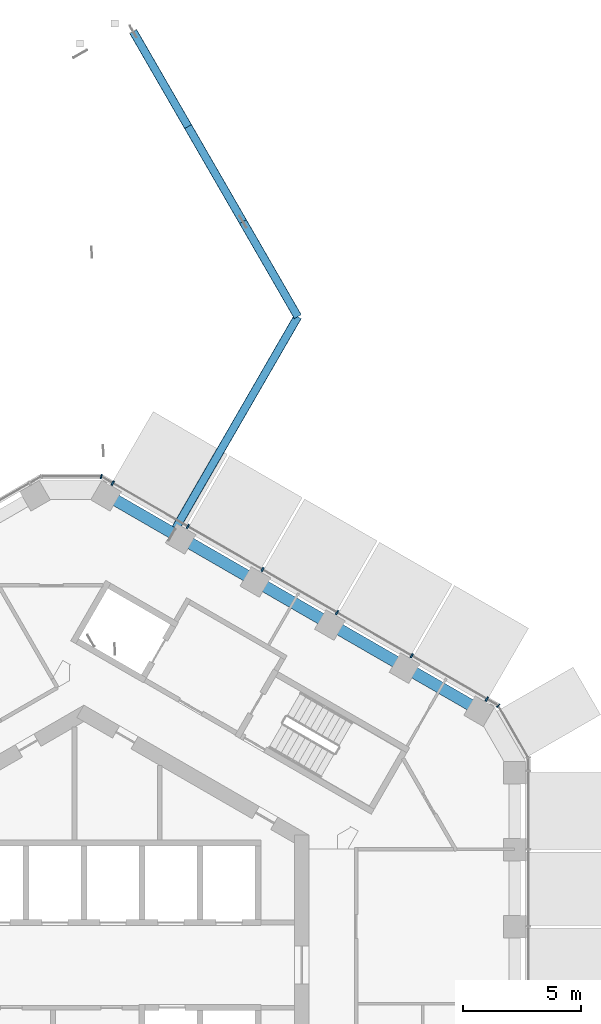
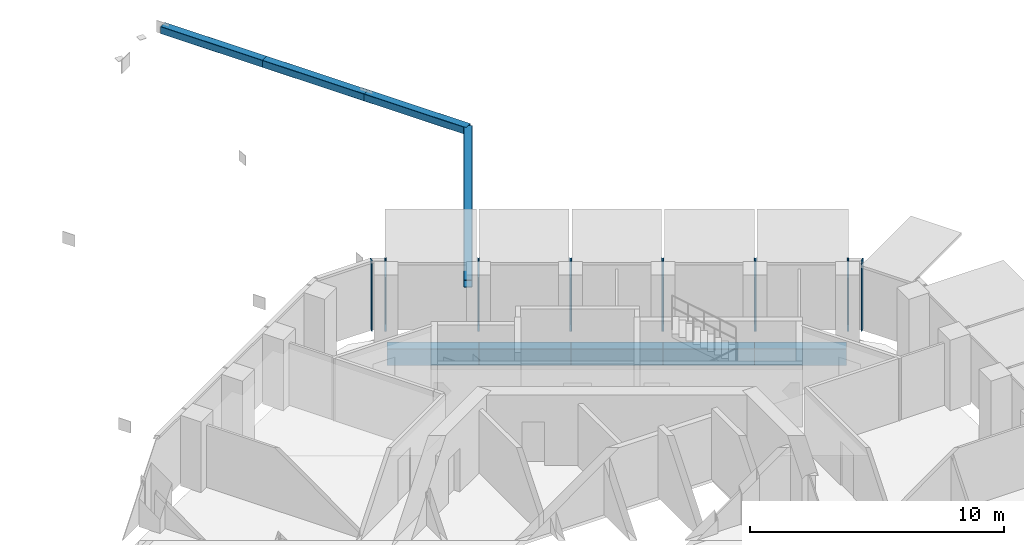
# One storey, part 6 of 21: 12 members, 5 beams, 3 elements without a shape of their own.
"""IFC4 building model written with IfcOpenShell, lengths in metres."""

from ifc_helpers import new_model, si_unit, direction, frame, origin, origin_2d, place, context, subcontext, project, spatial, rectangle, hollow_rectangle, extrude, material, layer, layer_set, material_profile, profile_set, type_object, element, aggregate, save


model = new_model("IFC4")

# Units and contexts
model_context = context("Model", 3, precision=1e-05, world=origin(), true_north=direction((0.0, 1.0)))
body_context = subcontext(model_context, "Body", "Model", "MODEL_VIEW")
ifc_project = project(units=[si_unit("LENGTHUNIT", "METRE"), si_unit("AREAUNIT", "SQUARE_METRE"), si_unit("VOLUMEUNIT", "CUBIC_METRE"), si_unit("PLANEANGLEUNIT", "RADIAN"), si_unit("MASSUNIT", "GRAM", prefix="KILO")], contexts=[model_context])

# Site, building, storey
site_placement = place(None, origin())
site = spatial("IfcSite", under=ifc_project, at=site_placement, CompositionType="ELEMENT")
building_placement = place(site_placement, origin())
building = spatial("IfcBuilding", under=site, at=building_placement, Name="Ayvan Gate Tower", CompositionType="ELEMENT")
storey_placement = place(building_placement, frame((0.0, 0.0, 183.300048828125)))
storey = spatial("IfcBuildingStorey", under=building, at=storey_placement, Name="L49", CompositionType="ELEMENT", Elevation=183.300048828125)

# Members
ifc_material_1 = material(Name="Steel S460NH", Category="steel")
ifc_material_profile_1 = material_profile(ifc_material_1, hollow_rectangle(XDim=0.35009765625, YDim=0.35009765625, WallThickness=0.01416015625, InnerFilletRadius=0.01416015625, OuterFilletRadius=0.021240234375, at=origin_2d()), Name="RHS 350x350x14.2")
ifc_profile_set_1 = profile_set([ifc_material_profile_1], Name="Steel S460NH")
member_type_1 = type_object("IfcMemberType", Name="Sky bar truss brace B4 RHS 350x350x14.2", PredefinedType="BRACE", material=ifc_profile_set_1)
member_1_placement = place(storey_placement, frame((3.718505859375, 18.167724609375, 2.675048828125), z_axis=(0.499999616612, 0.866025625133, 0.0), x_axis=(-0.866025625133, 0.499999616612, 0.0)))
element("IfcMember", 1, at=member_1_placement, inside=storey, type_object=member_type_1, Name="SBX4-B-BC-1", PredefinedType="CHORD", context=body_context, shape_type="SweptSolid", body=[
    extrude(hollow_rectangle(XDim=0.35009765625, YDim=0.35009765625, WallThickness=0.01416015625, InnerFilletRadius=0.01416015625, OuterFilletRadius=0.021240234375, at=origin_2d()), origin(), (0.0, 0.0, 1.0), 10.6240234375),
])
for number, where, z_axis, x_axis, name in (
    (2, (9.030517578125, 27.368408203125, 2.675048828125), (-0.499986997421, 0.866032910697, 0.0), (-0.866032910697, -0.499986997421, 0.0), "SBX4-B-BC-2"),
    (3, (6.7138671875, 31.381103515625, 2.675048828125), (-0.499986997421, 0.866032910697, 0.0), (-0.866032910697, -0.499986997421, 0.0), "SBX4-B-BC-3"),
    (4, (4.397216796875, 35.393798828125, 2.675048828125), (-0.500009813861, 0.866019737675, 0.0), (-0.866019737675, -0.500009813861, 0.0), "SBX4-B-BC-4"),
):
    element("IfcMember", number, at=place(storey_placement, frame(where, z_axis=z_axis, x_axis=x_axis)), inside=storey, type_object=member_type_1, Name=name, PredefinedType="CHORD", context=body_context, shape_type="SweptSolid", body=[
        extrude(hollow_rectangle(XDim=0.35009765625, YDim=0.35009765625, WallThickness=0.01416015625, InnerFilletRadius=0.01416015625, OuterFilletRadius=0.021240234375, at=origin_2d()), origin(), (0.0, 0.0, 1.0), 4.63330078125),
    ])

# Beams
ifc_material_2 = material(Name="Concrete C40/50", Category="concrete")
ifc_material_profile_2 = material_profile(ifc_material_2, rectangle(XDim=0.5, YDim=0.800048828125, at=origin_2d()), Name="RC 500x800")
ifc_profile_set_2 = profile_set([ifc_material_profile_2], Name="Concrete C40/50")
beam_type = type_object("IfcBeamType", Name="Spandrel beam RC 500x800 C40/50", PredefinedType="BEAM", material=ifc_profile_set_2)
beam_1_placement = place(storey_placement, frame((16.6865234375, 10.764404296875, -0.75), z_axis=(-0.866035407144, 0.499982673273, 0.0), x_axis=(-0.499982673273, -0.866035407144, 0.0)))
element("IfcBeam", 5, at=beam_1_placement, inside=storey, type_object=beam_type, Name="SB-L49-7", PredefinedType="BEAM", context=body_context, shape_type="SweptSolid", body=[
    extrude(rectangle(XDim=0.5, YDim=0.800048828125, at=origin_2d()), origin(), (0.0, 0.0, 1.0), 3.627685546875),
])
beam_2_placement = place(storey_placement, frame((13.544921875, 12.578125, -0.75), z_axis=(-0.86601858147, 0.500011816409, 0.0), x_axis=(-0.500011816409, -0.86601858147, 0.0)))
element("IfcBeam", 6, at=beam_2_placement, inside=storey, type_object=beam_type, Name="SB-L49-8", PredefinedType="BEAM", context=body_context, shape_type="SweptSolid", body=[
    extrude(rectangle(XDim=0.5, YDim=0.800048828125, at=origin_2d()), origin(), (0.0, 0.0, 1.0), 3.62744140625),
])
for number, where, z_axis, x_axis, name in (
    (7, (10.403564453125, 14.391845703125, -0.75), (-0.866035407144, 0.499982673273, 0.0), (-0.499982673273, -0.866035407144, 0.0), "SB-L49-9"),
    (8, (7.261962890625, 16.20556640625, -0.75), (-0.866035407144, 0.499982673273, 0.0), (-0.499982673273, -0.866035407144, 0.0), "SB-L49-10"),
):
    element("IfcBeam", number, at=place(storey_placement, frame(where, z_axis=z_axis, x_axis=x_axis)), inside=storey, type_object=beam_type, Name=name, PredefinedType="BEAM", context=body_context, shape_type="SweptSolid", body=[
        extrude(rectangle(XDim=0.5, YDim=0.800048828125, at=origin_2d()), origin(), (0.0, 0.0, 1.0), 3.627685546875),
    ])
beam_3_placement = place(storey_placement, frame((4.120361328125, 18.019287109375, -0.75), z_axis=(-0.865989436427, 0.500062292116, 0.0), x_axis=(-0.500062292116, -0.865989436427, 0.0)))
element("IfcBeam", 9, at=beam_3_placement, inside=storey, type_object=beam_type, Name="SB-L49-11", PredefinedType="BEAM", context=body_context, shape_type="SweptSolid", body=[
    extrude(rectangle(XDim=0.5, YDim=0.800048828125, at=origin_2d()), origin(), (0.0, 0.0, 1.0), 3.62744140625),
])

# Curtain wall, members
ifc_material_3 = material(Name="Bronze anodised aluminium", Category="aluminium")
ifc_layer_1 = layer(ifc_material_3, 0.199951171875)
ifc_layer_set_1 = layer_set([ifc_layer_1], Name="Bronze anodised aluminium")
curtain_wall_type_1 = type_object("IfcCurtainWallType", Name="Stick curtain wall CW-2", PredefinedType="NOTDEFINED", material=ifc_layer_set_1)
curtain_wall_1_placement = place(storey_placement, origin())
curtain_wall_1 = element("IfcCurtainWall", 10, at=curtain_wall_1_placement, inside=storey, type_object=curtain_wall_type_1, Name="Stick curtain wall CW-2 L49", PredefinedType="NOTDEFINED")
ifc_material_profile_3 = material_profile(ifc_material_3, rectangle(XDim=0.199951171875, YDim=0.070068359375, at=origin_2d()), Name="Stick curtain wall CW-2 mullion 200 x 70")
ifc_profile_set_3 = profile_set([ifc_material_profile_3], Name="Bronze anodised aluminium")
member_type_2 = type_object("IfcMemberType", Name="Stick curtain wall CW-2 mullion 200 x 70", PredefinedType="MULLION", material=ifc_profile_set_3)
member_2_placement = place(storey_placement, frame((17.00927734375, 11.226806640625, 0.0), z_axis=(0.0, 0.0, 1.0), x_axis=(0.5, 0.866025403784, 0.0)))
member_2 = element("IfcMember", 11, at=member_2_placement, type_object=member_type_2, Name="CW-2 mullion 1", PredefinedType="MULLION", context=body_context, shape_type="SweptSolid", body=[
    extrude(rectangle(XDim=0.199951171875, YDim=0.070068359375, at=origin_2d()), origin(), (0.0, 0.0, 1.0), 3.39990234375),
])
member_3_placement = place(storey_placement, frame((13.8388671875, 13.057373046875, 0.0), z_axis=(0.0, 0.0, 1.0), x_axis=(0.5, 0.866025403784, 0.0)))
member_3 = element("IfcMember", 12, at=member_3_placement, type_object=member_type_2, Name="CW-2 mullion 2", PredefinedType="MULLION", context=body_context, shape_type="SweptSolid", body=[
    extrude(rectangle(XDim=0.199951171875, YDim=0.070068359375, at=origin_2d()), origin(), (0.0, 0.0, 1.0), 3.39990234375),
])
member_4_placement = place(storey_placement, frame((10.68896484375, 14.8759765625, 0.0), z_axis=(0.0, 0.0, 1.0), x_axis=(0.5, 0.866025403784, 0.0)))
member_4 = element("IfcMember", 13, at=member_4_placement, type_object=member_type_2, Name="CW-2 mullion 3", PredefinedType="MULLION", context=body_context, shape_type="SweptSolid", body=[
    extrude(rectangle(XDim=0.199951171875, YDim=0.070068359375, at=origin_2d()), origin(), (0.0, 0.0, 1.0), 3.39990234375),
])
member_5_placement = place(storey_placement, frame((7.538330078125, 16.69482421875, 0.0), z_axis=(0.0, 0.0, 1.0), x_axis=(0.5, 0.866025403784, 0.0)))
member_5 = element("IfcMember", 14, at=member_5_placement, type_object=member_type_2, Name="CW-2 mullion 4", PredefinedType="MULLION", context=body_context, shape_type="SweptSolid", body=[
    extrude(rectangle(XDim=0.199951171875, YDim=0.070068359375, at=origin_2d()), origin(), (0.0, 0.0, 1.0), 3.39990234375),
])
member_6_placement = place(storey_placement, frame((4.388671875, 18.513427734375, 0.0), z_axis=(0.0, 0.0, 1.0), x_axis=(0.5, 0.866025403784, 0.0)))
member_6 = element("IfcMember", 15, at=member_6_placement, type_object=member_type_2, Name="CW-2 mullion 5", PredefinedType="MULLION", context=body_context, shape_type="SweptSolid", body=[
    extrude(rectangle(XDim=0.199951171875, YDim=0.070068359375, at=origin_2d()), origin(), (0.0, 0.0, 1.0), 3.39990234375),
])
member_7_placement = place(storey_placement, frame((1.218017578125, 20.343994140625, 0.0), z_axis=(0.0, 0.0, 1.0), x_axis=(0.5, 0.866025403784, 0.0)))
member_7 = element("IfcMember", 16, at=member_7_placement, type_object=member_type_2, Name="CW-2 mullion 6", PredefinedType="MULLION", context=body_context, shape_type="SweptSolid", body=[
    extrude(rectangle(XDim=0.199951171875, YDim=0.070068359375, at=origin_2d()), origin(), (0.0, 0.0, 1.0), 3.39990234375),
])
aggregate(curtain_wall_1, [member_2, member_3, member_4, member_5, member_6, member_7])

# Curtain wall, member
ifc_layer_2 = layer(ifc_material_3, 0.199951171875)
ifc_layer_set_2 = layer_set([ifc_layer_2], Name="Bronze anodised aluminium")
curtain_wall_type_2 = type_object("IfcCurtainWallType", Name="Stick curtain wall CW-6", PredefinedType="NOTDEFINED", material=ifc_layer_set_2)
curtain_wall_2_placement = place(storey_placement, origin())
curtain_wall_2 = element("IfcCurtainWall", 17, at=curtain_wall_2_placement, inside=storey, type_object=curtain_wall_type_2, Name="Stick curtain wall CW-6 L49", PredefinedType="NOTDEFINED")
ifc_material_profile_4 = material_profile(ifc_material_3, rectangle(XDim=0.199951171875, YDim=0.050048828125, at=origin_2d()), Name="Stick curtain wall CW-6 mullion 200 x 50")
ifc_profile_set_4 = profile_set([ifc_material_profile_4], Name="Bronze anodised aluminium")
member_type_3 = type_object("IfcMemberType", Name="Stick curtain wall CW-6 mullion 200 x 50", PredefinedType="MULLION", material=ifc_profile_set_4)
member_8_placement = place(storey_placement, frame((17.494140625, 10.94677734375, 0.0), z_axis=(0.0, 0.0, 1.0), x_axis=(0.707106781187, 0.707106781187, 0.0)))
member_8 = element("IfcMember", 18, at=member_8_placement, type_object=member_type_3, Name="CW-6 mullion 3", PredefinedType="MULLION", context=body_context, shape_type="SweptSolid", body=[
    extrude(rectangle(XDim=0.199951171875, YDim=0.050048828125, at=origin_2d()), origin(), (0.0, 0.0, 1.0), 3.39990234375),
])
aggregate(curtain_wall_2, [member_8])

curtain_wall_3_placement = place(storey_placement, origin())
curtain_wall_3 = element("IfcCurtainWall", 19, at=curtain_wall_3_placement, inside=storey, type_object=curtain_wall_type_2, Name="Stick curtain wall CW-6 L49", PredefinedType="NOTDEFINED")
member_9_placement = place(storey_placement, frame((0.733154296875, 20.6240234375, 0.0), z_axis=(0.0, 0.0, 1.0), x_axis=(0.258819045103, 0.965925826289, 0.0)))
member_9 = element("IfcMember", 20, at=member_9_placement, type_object=member_type_3, Name="CW-6 mullion 2", PredefinedType="MULLION", context=body_context, shape_type="SweptSolid", body=[
    extrude(rectangle(XDim=0.199951171875, YDim=0.050048828125, at=origin_2d()), origin(), (0.0, 0.0, 1.0), 3.39990234375),
])
aggregate(curtain_wall_3, [member_9])

save(model, "model.ifc")
